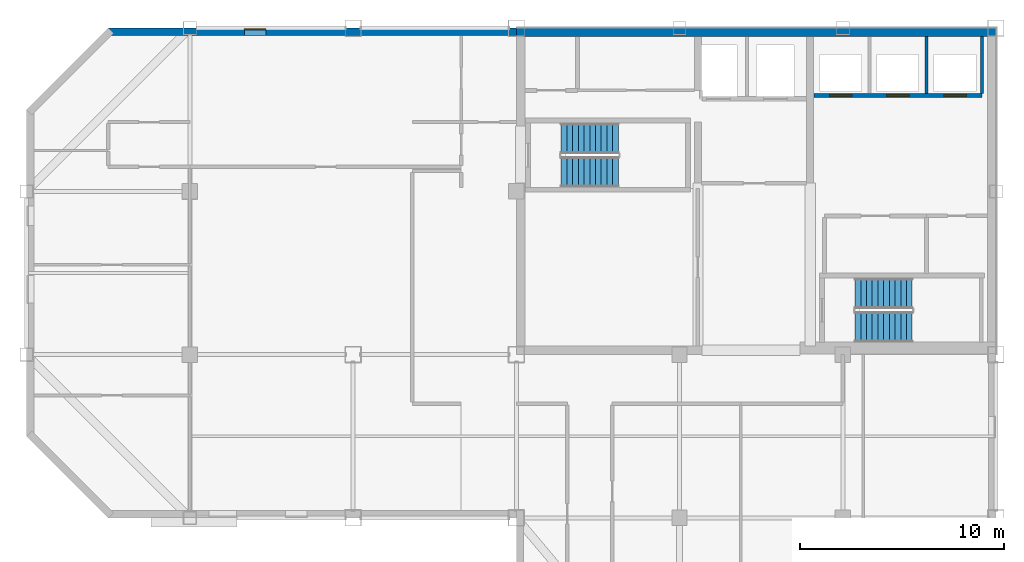
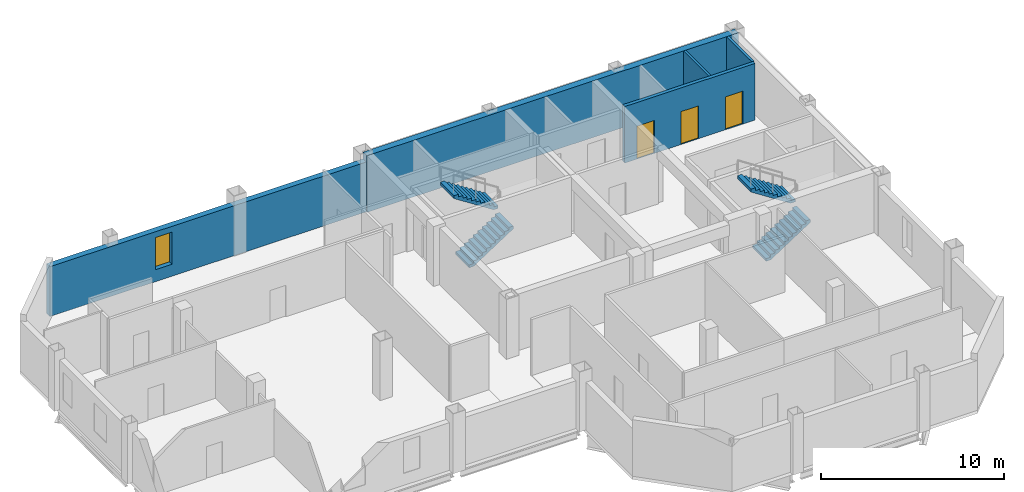
# One storey, part 4 of 7: 5 walls, 4 stair flights, 3 doors, 1 window, 4 openings, 2 elements without a shape of their own.
"""IFC4 building model written with IfcOpenShell, lengths in metres."""

from ifc_helpers import new_model, si_unit, direction, frame, frame_2d, origin, place, context, subcontext, project, spatial, polyline, rectangle, outline, extrude, material, layer, layer_set, type_object, element, fill, aggregate, save


model = new_model("IFC4")

# Units and contexts
model_context = context("Model", 3, precision=1e-05, world=origin(), true_north=direction((0.0, 1.0)))
body_context = subcontext(model_context, "Body", "Model", "MODEL_VIEW")
ifc_project = project(units=[si_unit("LENGTHUNIT", "METRE"), si_unit("AREAUNIT", "SQUARE_METRE"), si_unit("VOLUMEUNIT", "CUBIC_METRE"), si_unit("PLANEANGLEUNIT", "RADIAN"), si_unit("MASSUNIT", "GRAM", prefix="KILO")], contexts=[model_context])

# Site, building, storey
site_placement = place(None, origin())
site = spatial("IfcSite", under=ifc_project, at=site_placement, CompositionType="ELEMENT")
building_placement = place(site_placement, origin())
building = spatial("IfcBuilding", under=site, at=building_placement, Name="Qianrong Seaharbour Tower", CompositionType="ELEMENT")
storey_placement = place(building_placement, frame((0.0, 0.0, 327.199951171875)))
storey = spatial("IfcBuildingStorey", under=building, at=storey_placement, Name="L79", CompositionType="ELEMENT", Elevation=327.199951171875)

# Wall
ifc_material_1 = material(Name="Concrete C50/60", Category="concrete")
ifc_layer_1 = layer(ifc_material_1, 0.419921875)
ifc_layer_set_1 = layer_set([ifc_layer_1], Name="Concrete C50/60")
wall_type_1 = type_object("IfcWallType", Name="WALL-CORE-420", PredefinedType="SHEAR", material=ifc_layer_set_1)
wall_1_placement = place(storey_placement, frame((40.5, 51.7900390625, 0.0), z_axis=(0.0, 0.0, 1.0), x_axis=(1.0, 0.0, 0.0)))
element("IfcWall", 1, at=wall_1_placement, inside=storey, type_object=wall_type_1, Name="L79 North Core Shear Wall", PredefinedType="SHEAR", context=body_context, shape_type="SweptSolid", body=[
    extrude(rectangle(XDim=23.5, YDim=0.419921875, at=frame_2d((11.75, 0.0))), origin(), (0.0, 0.0, 1.0), 3.78515625),
])

# Wall, opening, window
ifc_material_2 = material(Name="Unitised red brick on Precast concrete C45/55", Category="masonry")
ifc_layer_2 = layer(ifc_material_2, 0.360107421875)
ifc_layer_set_2 = layer_set([ifc_layer_2], Name="Unitised red brick on Precast concrete C45/55")
wall_type_2 = type_object("IfcWallType", Name="WALL-EXT-BRICK-RED-360", PredefinedType="SOLIDWALL", material=ifc_layer_set_2)
wall_2_placement = place(storey_placement, frame((20.5, 51.820068359375, 0.0), z_axis=(0.0, 0.0, 1.0), x_axis=(1.0, 0.0, 0.0)))
wall_2 = element("IfcWall", 2, at=wall_2_placement, inside=storey, type_object=wall_type_2, Name="L79 Exterior Masonry Facade Wall NORTH_WING", PredefinedType="SOLIDWALL", context=body_context, shape_type="SweptSolid", body=[
    extrude(rectangle(XDim=20.02001953125, YDim=0.360107421875, at=frame_2d((10.010009765625, 0.0))), origin(), (0.0, 0.0, 1.0), 3.3349609375),
])
opening_1_placement = place(wall_2_placement, frame((6.675048828125, 0.0, 0.800048828125)))
opening_1 = element("IfcOpeningElement", 3, at=opening_1_placement, cuts=wall_2, Name="Opening WN-14", PredefinedType="OPENING", context=body_context, shape_type="SweptSolid", body=[
    extrude(rectangle(XDim=1.050048828125, YDim=2.14990234375, at=frame_2d((0.52490234375, 1.074951171875))), frame((0.0, 0.18994140625, 0.0), z_axis=(0.0, -1.0, 0.0), x_axis=(1.0, 0.0, 0.0)), (0.0, 0.0, 1.0), 0.380126953125),
])
ifc_material_3 = material(Name="Insulated low-e double glazing in thermally broken aluminium 6063-T6 frame", Category="aluminium")
window_type = type_object("IfcWindowType", Name="WIN-NARROW-1050x2150", PartitioningType="SINGLE_PANEL", PredefinedType="WINDOW", material=ifc_material_3)
window_placement = place(opening_1_placement, origin())
window = element("IfcWindow", 4, at=window_placement, inside=storey, type_object=window_type, Name="L79 Deep-Set Punched Window 05.02", OverallHeight=2.14990234375, OverallWidth=1.050048828125, PartitioningType="SINGLE_PANEL", PredefinedType="WINDOW", context=body_context, shape_type="SweptSolid", body=[
    extrude(rectangle(XDim=1.050048828125, YDim=2.14990234375, at=frame_2d((0.52490234375, 1.074951171875))), frame((0.0, 0.150146484375, 0.0), z_axis=(0.0, -1.0, 0.0), x_axis=(1.0, 0.0, 0.0)), (0.0, 0.0, 1.0), 0.06005859375),
])
fill(opening_1, window)

# Walls
ifc_material_4 = material(Name="Fire-rated gypsum board on steel studs", Category="steel")
ifc_layer_3 = layer(ifc_material_4, 0.14990234375)
ifc_layer_set_3 = layer_set([ifc_layer_3], Name="Fire-rated gypsum board on steel studs")
wall_type_3 = type_object("IfcWallType", Name="WALL-SHAFT-DIV-150", PredefinedType="PARTITIONING", material=ifc_layer_set_3)
for number, where, z_axis, x_axis, name in (
    (5, (60.60009765625, 48.81005859375, 0.0), (0.0, 0.0, 1.0), (0.0, 1.0, 0.0), "L79 P4 Lift Hoistway Divider 3"),
    (6, (63.320068359375, 48.81005859375, 0.0), (0.0, 0.0, 1.0), (0.0, 1.0, 0.0), "L79 P4 Lift Hoistway Divider 4"),
):
    element("IfcWall", number, at=place(storey_placement, frame(where, z_axis=z_axis, x_axis=x_axis)), inside=storey, type_object=wall_type_3, Name=name, PredefinedType="PARTITIONING", context=body_context, shape_type="SweptSolid", body=[
        extrude(rectangle(XDim=2.77001953125, YDim=0.14990234375, at=frame_2d((1.385009765625, 0.0))), origin(), (0.0, 0.0, 1.0), 3.78515625),
    ])

# Wall, openings, doors
ifc_layer_4 = layer(ifc_material_4, 0.219970703125)
ifc_layer_set_4 = layer_set([ifc_layer_4], Name="Fire-rated gypsum board on steel studs")
wall_type_4 = type_object("IfcWallType", Name="WALL-SHAFT-GYP220", PredefinedType="PARTITIONING", material=ifc_layer_set_4)
wall_3_placement = place(storey_placement, frame((63.320068359375, 48.699951171875, 0.0), z_axis=(0.0, 0.0, 1.0), x_axis=(-1.0, 0.0, 0.0)))
wall_3 = element("IfcWall", 7, at=wall_3_placement, inside=storey, type_object=wall_type_4, Name="L79 P4 Lift Hoistway Front Wall", PredefinedType="PARTITIONING", context=body_context, shape_type="SweptSolid", body=[
    extrude(rectangle(XDim=8.239990234375, YDim=0.219970703125, at=frame_2d((4.1201171875, 0.0))), origin(), (0.0, 0.0, 1.0), 3.78515625),
])
opening_2_placement = place(wall_3_placement, frame((6.3701171875, 0.0, 0.0)))
opening_2 = element("IfcOpeningElement", 8, at=opening_2_placement, cuts=wall_3, Name="Opening LD-02", PredefinedType="OPENING", context=body_context, shape_type="SweptSolid", body=[
    extrude(rectangle(XDim=1.10009765625, YDim=2.199951171875, at=frame_2d((0.550048828125, 1.10009765625))), frame((0.0, 0.1201171875, 0.0), z_axis=(0.0, -1.0, 0.0), x_axis=(1.0, 0.0, 0.0)), (0.0, 0.0, 1.0), 0.239990234375),
])
opening_3_placement = place(wall_3_placement, frame((3.570068359375, 0.0, 0.0)))
opening_3 = element("IfcOpeningElement", 9, at=opening_3_placement, cuts=wall_3, Name="Opening LD-02", PredefinedType="OPENING", context=body_context, shape_type="SweptSolid", body=[
    extrude(rectangle(XDim=1.10009765625, YDim=2.199951171875, at=frame_2d((0.550048828125, 1.10009765625))), frame((0.0, 0.1201171875, 0.0), z_axis=(0.0, -1.0, 0.0), x_axis=(1.0, 0.0, 0.0)), (0.0, 0.0, 1.0), 0.239990234375),
])
opening_4_placement = place(wall_3_placement, frame((0.77001953125, 0.0, 0.0)))
opening_4 = element("IfcOpeningElement", 10, at=opening_4_placement, cuts=wall_3, Name="Opening LD-02", PredefinedType="OPENING", context=body_context, shape_type="SweptSolid", body=[
    extrude(rectangle(XDim=1.10009765625, YDim=2.199951171875, at=frame_2d((0.550048828125, 1.10009765625))), frame((0.0, 0.1201171875, 0.0), z_axis=(0.0, -1.0, 0.0), x_axis=(1.0, 0.0, 0.0)), (0.0, 0.0, 1.0), 0.239990234375),
])
ifc_material_5 = material(Name="Stainless steel SUS316L bi-parting lift landing door", Category="steel")
door_type = type_object("IfcDoorType", Name="DOOR-LIFT-PASS-1100x2200", OperationType="DOUBLE_DOOR_SLIDING", PredefinedType="DOOR", material=ifc_material_5)
door_1_placement = place(opening_2_placement, origin())
door_1 = element("IfcDoor", 11, at=door_1_placement, inside=storey, type_object=door_type, Name="L79 PL-4A Lift Landing Door", OperationType="DOUBLE_DOOR_SLIDING", OverallHeight=2.199951171875, OverallWidth=1.10009765625, PredefinedType="DOOR", context=body_context, shape_type="SweptSolid", body=[
    extrude(rectangle(XDim=1.10009765625, YDim=2.199951171875, at=frame_2d((0.550048828125, 1.10009765625))), frame((0.0, 0.02490234375, 0.0), z_axis=(0.0, -1.0, 0.0), x_axis=(1.0, 0.0, 0.0)), (0.0, 0.0, 1.0), 0.050048828125),
])
fill(opening_2, door_1)
door_2_placement = place(opening_3_placement, origin())
door_2 = element("IfcDoor", 12, at=door_2_placement, inside=storey, type_object=door_type, Name="L79 PL-4B Lift Landing Door", OperationType="DOUBLE_DOOR_SLIDING", OverallHeight=2.199951171875, OverallWidth=1.10009765625, PredefinedType="DOOR", context=body_context, shape_type="SweptSolid", body=[
    extrude(rectangle(XDim=1.10009765625, YDim=2.199951171875, at=frame_2d((0.550048828125, 1.10009765625))), frame((0.0, 0.02490234375, 0.0), z_axis=(0.0, -1.0, 0.0), x_axis=(1.0, 0.0, 0.0)), (0.0, 0.0, 1.0), 0.050048828125),
])
fill(opening_3, door_2)
door_3_placement = place(opening_4_placement, origin())
door_3 = element("IfcDoor", 13, at=door_3_placement, inside=storey, type_object=door_type, Name="L79 PL-4C Lift Landing Door", OperationType="DOUBLE_DOOR_SLIDING", OverallHeight=2.199951171875, OverallWidth=1.10009765625, PredefinedType="DOOR", context=body_context, shape_type="SweptSolid", body=[
    extrude(rectangle(XDim=1.10009765625, YDim=2.199951171875, at=frame_2d((0.550048828125, 1.10009765625))), frame((0.0, 0.02490234375, 0.0), z_axis=(0.0, -1.0, 0.0), x_axis=(1.0, 0.0, 0.0)), (0.0, 0.0, 1.0), 0.050048828125),
])
fill(opening_4, door_3)

# Stair, stair flights
stair_type = type_object("IfcStairType", Name="STAIR-DOGLEG-1500-R22", PredefinedType="HALF_TURN_STAIR", material=ifc_material_1)
stair_1_placement = place(storey_placement, origin())
stair_1 = element("IfcStair", 14, at=stair_1_placement, inside=storey, type_object=stair_type, Name="L79 Protected Escape Stair ST-1", PredefinedType="HALF_TURN_STAIR")
stair_flight_type = type_object("IfcStairFlightType", Name="FLIGHT-STR-1500-R22", PredefinedType="STRAIGHT", material=ifc_material_1)
stair_flight_1_placement = place(storey_placement, frame((42.699951171875, 44.949951171875, 0.0), z_axis=(0.0, 0.0, 1.0), x_axis=(1.0, 0.0, 0.0)))
stair_flight_1 = element("IfcStairFlight", 15, at=stair_flight_1_placement, type_object=stair_flight_type, Name="ST-1 flight 1", NumberOfRisers=11, NumberOfTreads=10, PredefinedType="STRAIGHT", RiserHeight=0.181818182, TreadLength=0.28, context=body_context, shape_type="SweptSolid", body=[
    extrude(outline(polyline([(0.0, 0.0), (0.0, 0.181884765625), (0.280029296875, 0.181884765625), (0.280029296875, 0.363525390625), (0.56005859375, 0.363525390625), (0.56005859375, 0.54541015625), (0.840087890625, 0.54541015625), (0.840087890625, 0.727294921875), (1.1201171875, 0.727294921875), (1.1201171875, 0.9091796875), (1.39990234375, 0.9091796875), (1.39990234375, 1.0908203125), (1.679931640625, 1.0908203125), (1.679931640625, 1.272705078125), (1.9599609375, 1.272705078125), (1.9599609375, 1.45458984375), (2.239990234375, 1.45458984375), (2.239990234375, 1.636474609375), (2.52001953125, 1.636474609375), (2.52001953125, 1.818115234375), (2.800048828125, 1.818115234375), (2.800048828125, 2.0), (2.800048828125, 1.62744140625), (0.293701171875, 0.0), (0.0, 0.0)])), frame((0.0, 0.75, 0.0), z_axis=(0.0, -1.0, 0.0), x_axis=(1.0, 0.0, 0.0)), (0.0, 0.0, 1.0), 1.5),
])
stair_flight_2_placement = place(storey_placement, frame((45.5, 46.60009765625, 2.0), z_axis=(0.0, 0.0, 1.0), x_axis=(-1.0, 0.0, 0.0)))
stair_flight_2 = element("IfcStairFlight", 16, at=stair_flight_2_placement, type_object=stair_flight_type, Name="ST-1 flight 2", NumberOfRisers=11, NumberOfTreads=10, PredefinedType="STRAIGHT", RiserHeight=0.181818182, TreadLength=0.28, context=body_context, shape_type="SweptSolid", body=[
    extrude(outline(polyline([(0.0, 0.0), (0.0, 0.181884765625), (0.280029296875, 0.181884765625), (0.280029296875, 0.363525390625), (0.56005859375, 0.363525390625), (0.56005859375, 0.54541015625), (0.840087890625, 0.54541015625), (0.840087890625, 0.727294921875), (1.1201171875, 0.727294921875), (1.1201171875, 0.9091796875), (1.39990234375, 0.9091796875), (1.39990234375, 1.0908203125), (1.679931640625, 1.0908203125), (1.679931640625, 1.272705078125), (1.9599609375, 1.272705078125), (1.9599609375, 1.45458984375), (2.239990234375, 1.45458984375), (2.239990234375, 1.636474609375), (2.52001953125, 1.636474609375), (2.52001953125, 1.818115234375), (2.800048828125, 1.818115234375), (2.800048828125, 2.0), (2.800048828125, 1.62744140625), (0.293701171875, 0.0), (0.0, 0.0)])), frame((0.0, 0.75, 0.0), z_axis=(0.0, -1.0, 0.0), x_axis=(1.0, 0.0, 0.0)), (0.0, 0.0, 1.0), 1.5),
])
aggregate(stair_1, [stair_flight_1, stair_flight_2])

stair_2_placement = place(storey_placement, origin())
stair_2 = element("IfcStair", 17, at=stair_2_placement, inside=storey, type_object=stair_type, Name="L79 Protected Escape Stair ST-2", PredefinedType="HALF_TURN_STAIR")
stair_flight_3_placement = place(storey_placement, frame((57.10009765625, 37.35009765625, 0.0), z_axis=(0.0, 0.0, 1.0), x_axis=(1.0, 0.0, 0.0)))
stair_flight_3 = element("IfcStairFlight", 18, at=stair_flight_3_placement, type_object=stair_flight_type, Name="ST-2 flight 1", NumberOfRisers=11, NumberOfTreads=10, PredefinedType="STRAIGHT", RiserHeight=0.181818182, TreadLength=0.28, context=body_context, shape_type="SweptSolid", body=[
    extrude(outline(polyline([(0.0, 0.0), (0.0, 0.181884765625), (0.280029296875, 0.181884765625), (0.280029296875, 0.363525390625), (0.56005859375, 0.363525390625), (0.56005859375, 0.54541015625), (0.840087890625, 0.54541015625), (0.840087890625, 0.727294921875), (1.1201171875, 0.727294921875), (1.1201171875, 0.9091796875), (1.39990234375, 0.9091796875), (1.39990234375, 1.0908203125), (1.679931640625, 1.0908203125), (1.679931640625, 1.272705078125), (1.9599609375, 1.272705078125), (1.9599609375, 1.45458984375), (2.239990234375, 1.45458984375), (2.239990234375, 1.636474609375), (2.52001953125, 1.636474609375), (2.52001953125, 1.818115234375), (2.800048828125, 1.818115234375), (2.800048828125, 2.0), (2.800048828125, 1.62744140625), (0.293701171875, 0.0), (0.0, 0.0)])), frame((0.0, 0.75, 0.0), z_axis=(0.0, -1.0, 0.0), x_axis=(1.0, 0.0, 0.0)), (0.0, 0.0, 1.0), 1.5),
])
stair_flight_4_placement = place(storey_placement, frame((59.89990234375, 39.0, 2.0), z_axis=(0.0, 0.0, 1.0), x_axis=(-1.0, 0.0, 0.0)))
stair_flight_4 = element("IfcStairFlight", 19, at=stair_flight_4_placement, type_object=stair_flight_type, Name="ST-2 flight 2", NumberOfRisers=11, NumberOfTreads=10, PredefinedType="STRAIGHT", RiserHeight=0.181818182, TreadLength=0.28, context=body_context, shape_type="SweptSolid", body=[
    extrude(outline(polyline([(0.0, 0.0), (0.0, 0.181884765625), (0.280029296875, 0.181884765625), (0.280029296875, 0.363525390625), (0.56005859375, 0.363525390625), (0.56005859375, 0.54541015625), (0.840087890625, 0.54541015625), (0.840087890625, 0.727294921875), (1.1201171875, 0.727294921875), (1.1201171875, 0.9091796875), (1.39990234375, 0.9091796875), (1.39990234375, 1.0908203125), (1.679931640625, 1.0908203125), (1.679931640625, 1.272705078125), (1.9599609375, 1.272705078125), (1.9599609375, 1.45458984375), (2.239990234375, 1.45458984375), (2.239990234375, 1.636474609375), (2.52001953125, 1.636474609375), (2.52001953125, 1.818115234375), (2.800048828125, 1.818115234375), (2.800048828125, 2.0), (2.800048828125, 1.62744140625), (0.293701171875, 0.0), (0.0, 0.0)])), frame((0.0, 0.75, 0.0), z_axis=(0.0, -1.0, 0.0), x_axis=(1.0, 0.0, 0.0)), (0.0, 0.0, 1.0), 1.5),
])
aggregate(stair_2, [stair_flight_3, stair_flight_4])

save(model, "model.ifc")
